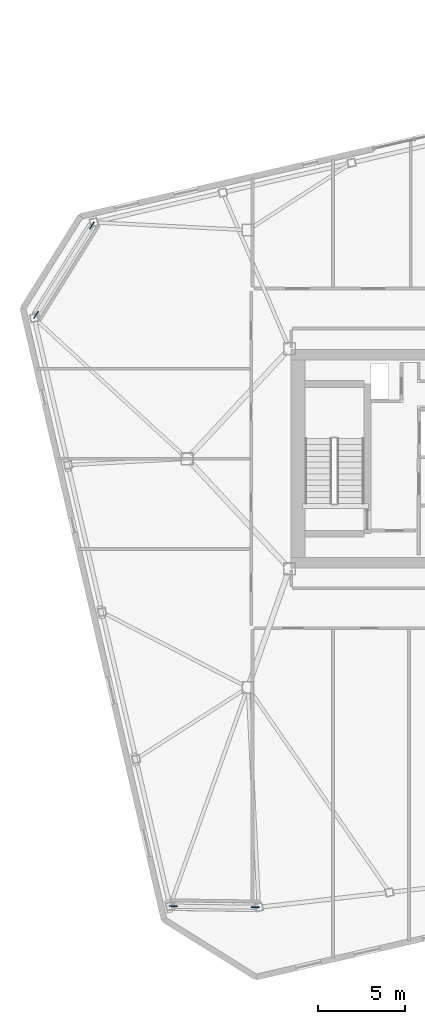
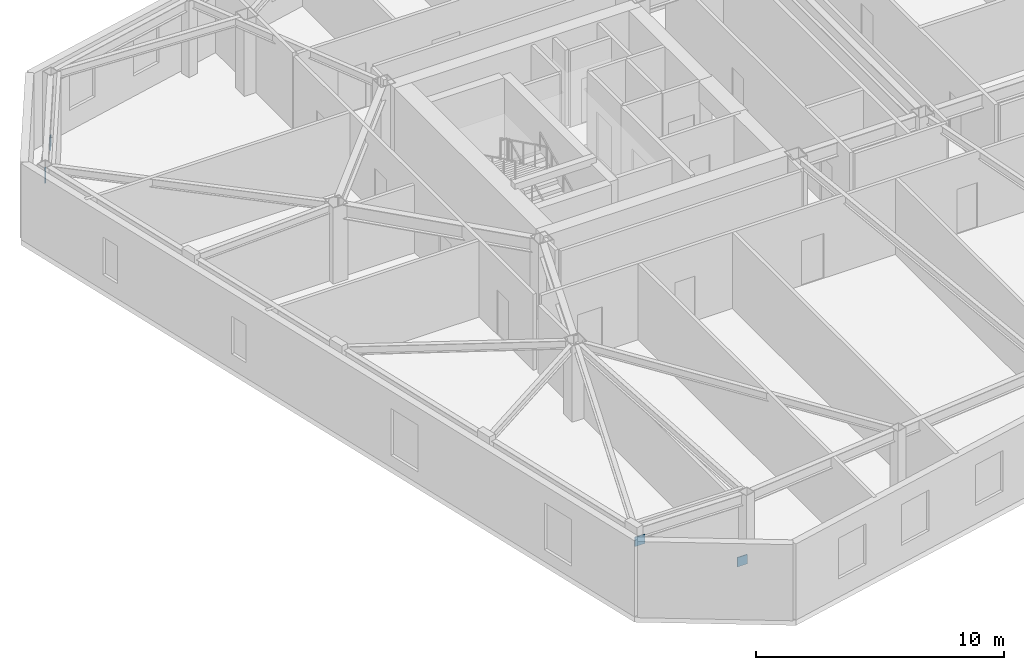
# One storey, part 21 of 24: 4 discrete accessories.
"""IFC4 building model written with IfcOpenShell, lengths in metres."""

from ifc_helpers import new_model, si_unit, direction, frame, origin, origin_2d, place, context, subcontext, project, spatial, rectangle, extrude, material, type_object, element, save


model = new_model("IFC4")

# Units and contexts
model_context = context("Model", 3, precision=1e-05, world=origin(), true_north=direction((0.0, 1.0)))
body_context = subcontext(model_context, "Body", "Model", "MODEL_VIEW")
ifc_project = project(units=[si_unit("LENGTHUNIT", "METRE"), si_unit("AREAUNIT", "SQUARE_METRE"), si_unit("VOLUMEUNIT", "CUBIC_METRE"), si_unit("PLANEANGLEUNIT", "RADIAN"), si_unit("MASSUNIT", "GRAM", prefix="KILO")], contexts=[model_context])

# Site, building, storey
site_placement = place(None, origin())
site = spatial("IfcSite", under=ifc_project, at=site_placement, CompositionType="ELEMENT")
building_placement = place(site_placement, origin())
building = spatial("IfcBuilding", under=site, at=building_placement, Name="Tavrogorsk Clinical Tower", CompositionType="ELEMENT")
storey_placement = place(building_placement, frame((0.0, 0.0, 325.0)))
storey = spatial("IfcBuildingStorey", under=building, at=storey_placement, Name="L76", CompositionType="ELEMENT", Elevation=325.0)

# Discrete accessories
ifc_material = material(Name="Structural steel S440", Category="steel")
discrete_accessory_type = type_object("IfcDiscreteAccessoryType", Name="GussetPlateBracket_25", PredefinedType="BRACKET", material=ifc_material)
for number, where, z_axis, x_axis, name in (
    (1, (-33.501708984375, 13.4638671875, 0.163330078125), (0.0, 0.0, 1.0), (-0.529919264233, -0.848048096156, 0.0), "L76 Brace Gusset Plate EXOCRN-L76-3-A"),
    (2, (-36.72265625, 8.30908203125, 2.81689453125), (0.0, 0.0, 1.0), (-0.529919264233, -0.848048096156, 0.0), "L76 Brace Gusset Plate EXOCRN-L76-3-B"),
    (3, (-24.07080078125, -25.883056640625, 0.182861328125), (0.0, 0.0, 1.0), (-0.999914327574, 0.013089595571, 0.0), "L76 Brace Gusset Plate EXOCRN-L76-4-A"),
    (4, (-28.794677734375, -25.821533203125, 2.797119140625), (0.0, 0.0, 1.0), (-0.999914327574, 0.013089595571, 0.0), "L76 Brace Gusset Plate EXOCRN-L76-4-B"),
):
    element("IfcDiscreteAccessory", number, at=place(storey_placement, frame(where, z_axis=z_axis, x_axis=x_axis)), inside=storey, type_object=discrete_accessory_type, Name=name, PredefinedType="BRACKET", context=body_context, shape_type="SweptSolid", body=[
        extrude(rectangle(XDim=0.4599609375, YDim=0.0400390625, at=origin_2d()), origin(), (0.0, 0.0, 1.0), 0.4599609375),
    ])

save(model, "model.ifc")
